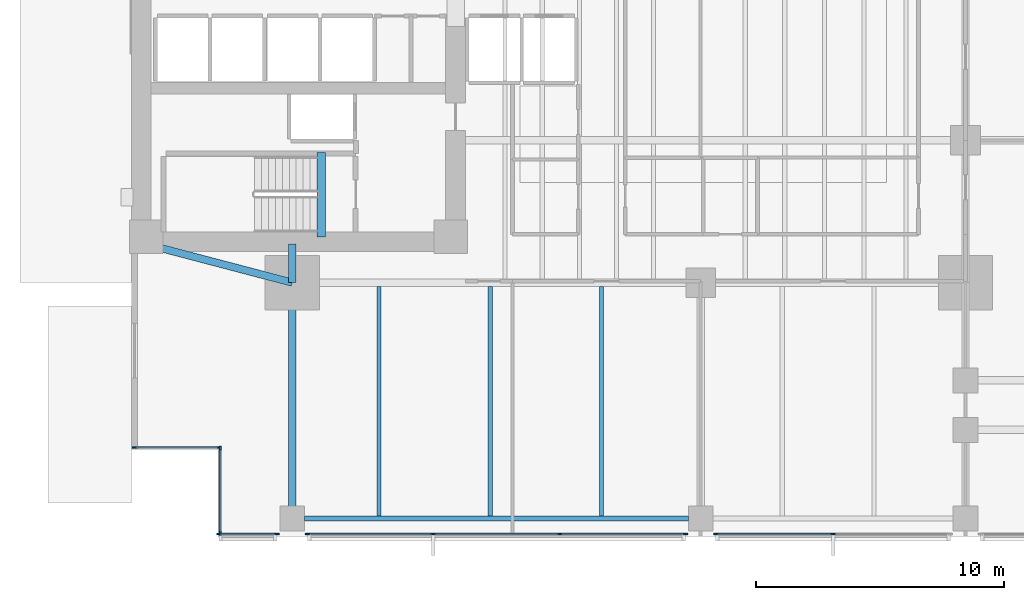
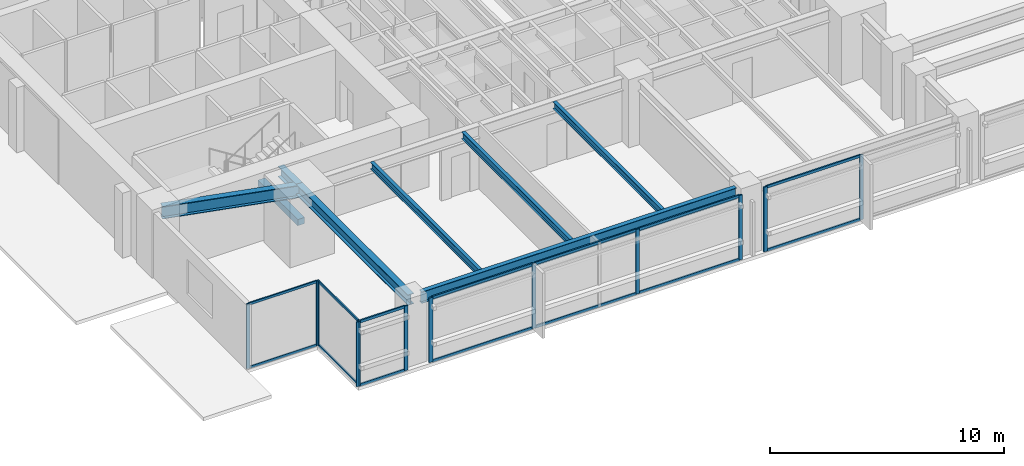
# One storey, part 2 of 16: 26 members, 8 beams, 5 elements without a shape of their own.
"""IFC4 building model written with IfcOpenShell, lengths in metres."""

from ifc_helpers import new_model, si_unit, direction, frame, origin, origin_2d, place, context, subcontext, project, spatial, rectangle, i_section, extrude, material, layer, layer_set, material_profile, profile_set, type_object, element, aggregate, save


model = new_model("IFC4")

# Units and contexts
model_context = context("Model", 3, precision=1e-05, world=origin(), true_north=direction((0.0, 1.0)))
body_context = subcontext(model_context, "Body", "Model", "MODEL_VIEW")
ifc_project = project(units=[si_unit("LENGTHUNIT", "METRE"), si_unit("AREAUNIT", "SQUARE_METRE"), si_unit("VOLUMEUNIT", "CUBIC_METRE"), si_unit("PLANEANGLEUNIT", "RADIAN"), si_unit("MASSUNIT", "GRAM", prefix="KILO")], contexts=[model_context])

# Site, building, storey
site_placement = place(None, origin())
site = spatial("IfcSite", under=ifc_project, at=site_placement, CompositionType="ELEMENT")
building_placement = place(site_placement, origin())
building = spatial("IfcBuilding", under=site, at=building_placement, Name="Kinhvarn Gate Tower", CompositionType="ELEMENT")
storey_placement = place(building_placement, frame((0.0, 0.0, 25.60009765625)))
storey = spatial("IfcBuildingStorey", under=building, at=storey_placement, Name="L05", CompositionType="ELEMENT", Elevation=25.60009765625)

# Beam
ifc_material_1 = material(Name="Concrete C50/60", Category="concrete")
ifc_material_profile_1 = material_profile(ifc_material_1, rectangle(XDim=0.340087890625, YDim=0.320068359375, at=origin_2d()), Name="RC 340x320")
ifc_profile_set_1 = profile_set([ifc_material_profile_1], Name="Concrete C50/60")
beam_type_1 = type_object("IfcBeamType", Name="BM-LND-500", PredefinedType="BEAM", material=ifc_profile_set_1)
beam_1_placement = place(storey_placement, frame((12.1650390625, 14.60009765625, -0.16015625), z_axis=(0.0, 1.0, 0.0), x_axis=(-1.0, 0.0, 0.0)))
element("IfcBeam", 1, at=beam_1_placement, inside=storey, type_object=beam_type_1, Name="Stair ST1 Landing Nosing Beam (L05)", PredefinedType="BEAM", context=body_context, shape_type="SweptSolid", body=[
    extrude(rectangle(XDim=0.340087890625, YDim=0.320068359375, at=origin_2d()), origin(), (0.0, 0.0, 1.0), 3.39990234375),
])

# Curtain wall, members
ifc_material_2 = material(Name="Anodised aluminium AW-6063", Category="aluminium")
ifc_layer_1 = layer(ifc_material_2, 0.179931640625)
ifc_layer_set_1 = layer_set([ifc_layer_1], Name="Anodised aluminium AW-6063")
curtain_wall_type_1 = type_object("IfcCurtainWallType", Name="CW-SYS-4", PredefinedType="NOTDEFINED", material=ifc_layer_set_1)
curtain_wall_1_placement = place(storey_placement, origin())
curtain_wall_1 = element("IfcCurtainWall", 2, at=curtain_wall_1_placement, inside=storey, type_object=curtain_wall_type_1, Name="Curtain Wall CW4 (L05)", PredefinedType="NOTDEFINED")
ifc_material_profile_2 = material_profile(ifc_material_2, rectangle(XDim=0.06494140625, YDim=0.159912109375, at=origin_2d()), Name="ALU 65x160")
ifc_profile_set_2 = profile_set([ifc_material_profile_2], Name="Anodised aluminium AW-6063")
member_type_1 = type_object("IfcMemberType", Name="CW-MUL-160", PredefinedType="MULLION", material=ifc_profile_set_2)
member_1_placement = place(storey_placement, frame((4.62255859375, 6.090087890625, 0.0), z_axis=(0.0, 0.0, 1.0), x_axis=(0.0, 1.0, 0.0)))
member_1 = element("IfcMember", 3, at=member_1_placement, type_object=member_type_1, Name="CW4 mullion 1", PredefinedType="MULLION", context=body_context, shape_type="SweptSolid", body=[
    extrude(rectangle(XDim=0.06494140625, YDim=0.159912109375, at=origin_2d()), origin(), (0.0, 0.0, 1.0), 3.369873046875),
])
member_2_placement = place(storey_placement, frame((8.0576171875, 6.090087890625, 0.0), z_axis=(0.0, 0.0, 1.0), x_axis=(0.0, 1.0, 0.0)))
member_2 = element("IfcMember", 4, at=member_2_placement, type_object=member_type_1, Name="CW4 mullion 2", PredefinedType="MULLION", context=body_context, shape_type="SweptSolid", body=[
    extrude(rectangle(XDim=0.06494140625, YDim=0.159912109375, at=origin_2d()), origin(), (0.0, 0.0, 1.0), 3.369873046875),
])

curtain_wall_2_placement = place(storey_placement, origin())
curtain_wall_2 = element("IfcCurtainWall", 5, at=curtain_wall_2_placement, inside=storey, type_object=curtain_wall_type_1, Name="Curtain Wall CW4 (L05)", PredefinedType="NOTDEFINED")
member_3_placement = place(storey_placement, frame((8.090087890625, 6.0576171875, 0.0), z_axis=(0.0, 0.0, 1.0), x_axis=(1.0, 0.0, 0.0)))
member_3 = element("IfcMember", 6, at=member_3_placement, type_object=member_type_1, Name="CW4 mullion 1", PredefinedType="MULLION", context=body_context, shape_type="SweptSolid", body=[
    extrude(rectangle(XDim=0.06494140625, YDim=0.159912109375, at=origin_2d()), origin(), (0.0, 0.0, 1.0), 3.369873046875),
])
member_4_placement = place(storey_placement, frame((8.090087890625, 2.62255859375, 0.0), z_axis=(0.0, 0.0, 1.0), x_axis=(1.0, 0.0, 0.0)))
member_4 = element("IfcMember", 7, at=member_4_placement, type_object=member_type_1, Name="CW4 mullion 2", PredefinedType="MULLION", context=body_context, shape_type="SweptSolid", body=[
    extrude(rectangle(XDim=0.06494140625, YDim=0.159912109375, at=origin_2d()), origin(), (0.0, 0.0, 1.0), 3.369873046875),
])

ifc_layer_2 = layer(ifc_material_2, 0.179931640625)
ifc_layer_set_2 = layer_set([ifc_layer_2], Name="Anodised aluminium AW-6063")
curtain_wall_type_2 = type_object("IfcCurtainWallType", Name="CW-SYS-2", PredefinedType="NOTDEFINED", material=ifc_layer_set_2)
curtain_wall_3_placement = place(storey_placement, origin())
curtain_wall_3 = element("IfcCurtainWall", 8, at=curtain_wall_3_placement, inside=storey, type_object=curtain_wall_type_2, Name="Curtain Wall CW2 (L05)", PredefinedType="NOTDEFINED")
ifc_material_profile_3 = material_profile(ifc_material_2, rectangle(XDim=0.070068359375, YDim=0.179931640625, at=origin_2d()), Name="ALU 70x180")
ifc_profile_set_3 = profile_set([ifc_material_profile_3], Name="Anodised aluminium AW-6063")
member_type_2 = type_object("IfcMemberType", Name="CW-MUL-180", PredefinedType="MULLION", material=ifc_profile_set_3)
member_5_placement = place(storey_placement, frame((8.034912109375, 2.590087890625, 0.0), z_axis=(0.0, 0.0, 1.0), x_axis=(0.0, 1.0, 0.0)))
member_5 = element("IfcMember", 9, at=member_5_placement, type_object=member_type_2, Name="CW2 mullion 1", PredefinedType="MULLION", context=body_context, shape_type="SweptSolid", body=[
    extrude(rectangle(XDim=0.070068359375, YDim=0.179931640625, at=origin_2d()), origin(), (0.0, 0.0, 1.0), 3.369873046875),
])
member_6_placement = place(storey_placement, frame((10.385009765625, 2.590087890625, 0.0), z_axis=(0.0, 0.0, 1.0), x_axis=(0.0, 1.0, 0.0)))
member_6 = element("IfcMember", 10, at=member_6_placement, type_object=member_type_2, Name="CW2 mullion 2", PredefinedType="MULLION", context=body_context, shape_type="SweptSolid", body=[
    extrude(rectangle(XDim=0.070068359375, YDim=0.179931640625, at=origin_2d()), origin(), (0.0, 0.0, 1.0), 3.369873046875),
])

curtain_wall_4_placement = place(storey_placement, origin())
curtain_wall_4 = element("IfcCurtainWall", 11, at=curtain_wall_4_placement, inside=storey, type_object=curtain_wall_type_2, Name="Curtain Wall CW2 (L05)", PredefinedType="NOTDEFINED")
member_7_placement = place(storey_placement, frame((11.614990234375, 2.590087890625, 0.0), z_axis=(0.0, 0.0, 1.0), x_axis=(0.0, 1.0, 0.0)))
member_7 = element("IfcMember", 12, at=member_7_placement, type_object=member_type_2, Name="CW2 mullion 1", PredefinedType="MULLION", context=body_context, shape_type="SweptSolid", body=[
    extrude(rectangle(XDim=0.070068359375, YDim=0.179931640625, at=origin_2d()), origin(), (0.0, 0.0, 1.0), 3.369873046875),
])
member_8_placement = place(storey_placement, frame((16.693359375, 2.590087890625, 0.0), z_axis=(0.0, 0.0, 1.0), x_axis=(0.0, 1.0, 0.0)))
member_8 = element("IfcMember", 13, at=member_8_placement, type_object=member_type_2, Name="CW2 mullion 2", PredefinedType="MULLION", context=body_context, shape_type="SweptSolid", body=[
    extrude(rectangle(XDim=0.070068359375, YDim=0.179931640625, at=origin_2d()), origin(), (0.0, 0.0, 1.0), 3.369873046875),
])
member_9_placement = place(storey_placement, frame((21.806640625, 2.590087890625, 0.0), z_axis=(0.0, 0.0, 1.0), x_axis=(0.0, 1.0, 0.0)))
member_9 = element("IfcMember", 14, at=member_9_placement, type_object=member_type_2, Name="CW2 mullion 3", PredefinedType="MULLION", context=body_context, shape_type="SweptSolid", body=[
    extrude(rectangle(XDim=0.070068359375, YDim=0.179931640625, at=origin_2d()), origin(), (0.0, 0.0, 1.0), 3.369873046875),
])
member_10_placement = place(storey_placement, frame((26.885009765625, 2.590087890625, 0.0), z_axis=(0.0, 0.0, 1.0), x_axis=(0.0, 1.0, 0.0)))
member_10 = element("IfcMember", 15, at=member_10_placement, type_object=member_type_2, Name="CW2 mullion 4", PredefinedType="MULLION", context=body_context, shape_type="SweptSolid", body=[
    extrude(rectangle(XDim=0.070068359375, YDim=0.179931640625, at=origin_2d()), origin(), (0.0, 0.0, 1.0), 3.369873046875),
])

curtain_wall_5_placement = place(storey_placement, origin())
curtain_wall_5 = element("IfcCurtainWall", 16, at=curtain_wall_5_placement, inside=storey, type_object=curtain_wall_type_2, Name="Curtain Wall CW2 (L05)", PredefinedType="NOTDEFINED")
member_11_placement = place(storey_placement, frame((28.114990234375, 2.590087890625, 0.0), z_axis=(0.0, 0.0, 1.0), x_axis=(0.0, 1.0, 0.0)))
member_11 = element("IfcMember", 17, at=member_11_placement, type_object=member_type_2, Name="CW2 mullion 1", PredefinedType="MULLION", context=body_context, shape_type="SweptSolid", body=[
    extrude(rectangle(XDim=0.070068359375, YDim=0.179931640625, at=origin_2d()), origin(), (0.0, 0.0, 1.0), 3.369873046875),
])
member_12_placement = place(storey_placement, frame((32.85009765625, 2.590087890625, 0.0), z_axis=(0.0, 0.0, 1.0), x_axis=(0.0, 1.0, 0.0)))
member_12 = element("IfcMember", 18, at=member_12_placement, type_object=member_type_2, Name="CW2 mullion 2", PredefinedType="MULLION", context=body_context, shape_type="SweptSolid", body=[
    extrude(rectangle(XDim=0.070068359375, YDim=0.179931640625, at=origin_2d()), origin(), (0.0, 0.0, 1.0), 3.369873046875),
])

# Member
ifc_material_profile_4 = material_profile(ifc_material_2, rectangle(XDim=0.06494140625, YDim=0.1201171875, at=origin_2d()), Name="ALU 65x120")
ifc_profile_set_4 = profile_set([ifc_material_profile_4], Name="Anodised aluminium AW-6063")
member_type_3 = type_object("IfcMemberType", Name="CW-TRN-120", PredefinedType="USERDEFINED", material=ifc_profile_set_4)
member_13_placement = place(storey_placement, frame((4.655029296875, 6.090087890625, 0.032470703125), z_axis=(1.0, 0.0, 0.0), x_axis=(0.0, 1.0, 0.0)))
member_13 = element("IfcMember", 19, at=member_13_placement, type_object=member_type_3, Name="CW4 transom 1.1", ObjectType="TRANSOM", PredefinedType="USERDEFINED", context=body_context, shape_type="SweptSolid", body=[
    extrude(rectangle(XDim=0.06494140625, YDim=0.1201171875, at=origin_2d()), origin(), (0.0, 0.0, 1.0), 3.369873046875),
])

member_14_placement = place(storey_placement, frame((4.655029296875, 6.090087890625, 3.33740234375), z_axis=(1.0, 0.0, 0.0), x_axis=(0.0, 1.0, 0.0)))
member_14 = element("IfcMember", 20, at=member_14_placement, type_object=member_type_3, Name="CW4 transom 1.2", ObjectType="TRANSOM", PredefinedType="USERDEFINED", context=body_context, shape_type="SweptSolid", body=[
    extrude(rectangle(XDim=0.06494140625, YDim=0.1201171875, at=origin_2d()), origin(), (0.0, 0.0, 1.0), 3.369873046875),
])

aggregate(curtain_wall_1, [member_1, member_2, member_13, member_14])

member_15_placement = place(storey_placement, frame((8.090087890625, 6.02490234375, 0.032470703125), z_axis=(0.0, -1.0, 0.0), x_axis=(1.0, 0.0, 0.0)))
member_15 = element("IfcMember", 21, at=member_15_placement, type_object=member_type_3, Name="CW4 transom 1.1", ObjectType="TRANSOM", PredefinedType="USERDEFINED", context=body_context, shape_type="SweptSolid", body=[
    extrude(rectangle(XDim=0.06494140625, YDim=0.1201171875, at=origin_2d()), origin(), (0.0, 0.0, 1.0), 3.369873046875),
])

member_16_placement = place(storey_placement, frame((8.090087890625, 6.02490234375, 3.33740234375), z_axis=(0.0, -1.0, 0.0), x_axis=(1.0, 0.0, 0.0)))
member_16 = element("IfcMember", 22, at=member_16_placement, type_object=member_type_3, Name="CW4 transom 1.2", ObjectType="TRANSOM", PredefinedType="USERDEFINED", context=body_context, shape_type="SweptSolid", body=[
    extrude(rectangle(XDim=0.06494140625, YDim=0.1201171875, at=origin_2d()), origin(), (0.0, 0.0, 1.0), 3.369873046875),
])

aggregate(curtain_wall_2, [member_3, member_4, member_15, member_16])

ifc_material_profile_5 = material_profile(ifc_material_2, rectangle(XDim=0.070068359375, YDim=0.139892578125, at=origin_2d()), Name="ALU 70x140")
ifc_profile_set_5 = profile_set([ifc_material_profile_5], Name="Anodised aluminium AW-6063")
member_type_4 = type_object("IfcMemberType", Name="CW-TRN-140", PredefinedType="USERDEFINED", material=ifc_profile_set_5)
member_17_placement = place(storey_placement, frame((8.070068359375, 2.590087890625, 0.034912109375), z_axis=(1.0, 0.0, 0.0), x_axis=(0.0, 1.0, 0.0)))
member_17 = element("IfcMember", 23, at=member_17_placement, type_object=member_type_4, Name="CW2 transom 1.1", ObjectType="TRANSOM", PredefinedType="USERDEFINED", context=body_context, shape_type="SweptSolid", body=[
    extrude(rectangle(XDim=0.070068359375, YDim=0.139892578125, at=origin_2d()), origin(), (0.0, 0.0, 1.0), 2.280029296875),
])

member_18_placement = place(storey_placement, frame((8.070068359375, 2.590087890625, 3.3349609375), z_axis=(1.0, 0.0, 0.0), x_axis=(0.0, 1.0, 0.0)))
member_18 = element("IfcMember", 24, at=member_18_placement, type_object=member_type_4, Name="CW2 transom 1.2", ObjectType="TRANSOM", PredefinedType="USERDEFINED", context=body_context, shape_type="SweptSolid", body=[
    extrude(rectangle(XDim=0.070068359375, YDim=0.139892578125, at=origin_2d()), origin(), (0.0, 0.0, 1.0), 2.280029296875),
])

aggregate(curtain_wall_3, [member_5, member_6, member_17, member_18])

member_19_placement = place(storey_placement, frame((11.64990234375, 2.590087890625, 0.034912109375), z_axis=(1.0, 0.0, 0.0), x_axis=(0.0, 1.0, 0.0)))
member_19 = element("IfcMember", 25, at=member_19_placement, type_object=member_type_4, Name="CW2 transom 1.1", ObjectType="TRANSOM", PredefinedType="USERDEFINED", context=body_context, shape_type="SweptSolid", body=[
    extrude(rectangle(XDim=0.070068359375, YDim=0.139892578125, at=origin_2d()), origin(), (0.0, 0.0, 1.0), 5.008544921875),
])

member_20_placement = place(storey_placement, frame((11.64990234375, 2.590087890625, 3.3349609375), z_axis=(1.0, 0.0, 0.0), x_axis=(0.0, 1.0, 0.0)))
member_20 = element("IfcMember", 26, at=member_20_placement, type_object=member_type_4, Name="CW2 transom 1.2", ObjectType="TRANSOM", PredefinedType="USERDEFINED", context=body_context, shape_type="SweptSolid", body=[
    extrude(rectangle(XDim=0.070068359375, YDim=0.139892578125, at=origin_2d()), origin(), (0.0, 0.0, 1.0), 5.008544921875),
])

member_21_placement = place(storey_placement, frame((16.728271484375, 2.590087890625, 0.034912109375), z_axis=(1.0, 0.0, 0.0), x_axis=(0.0, 1.0, 0.0)))
member_21 = element("IfcMember", 27, at=member_21_placement, type_object=member_type_4, Name="CW2 transom 2.1", ObjectType="TRANSOM", PredefinedType="USERDEFINED", context=body_context, shape_type="SweptSolid", body=[
    extrude(rectangle(XDim=0.070068359375, YDim=0.139892578125, at=origin_2d()), origin(), (0.0, 0.0, 1.0), 5.04345703125),
])

member_22_placement = place(storey_placement, frame((16.728271484375, 2.590087890625, 3.3349609375), z_axis=(1.0, 0.0, 0.0), x_axis=(0.0, 1.0, 0.0)))
member_22 = element("IfcMember", 28, at=member_22_placement, type_object=member_type_4, Name="CW2 transom 2.2", ObjectType="TRANSOM", PredefinedType="USERDEFINED", context=body_context, shape_type="SweptSolid", body=[
    extrude(rectangle(XDim=0.070068359375, YDim=0.139892578125, at=origin_2d()), origin(), (0.0, 0.0, 1.0), 5.04345703125),
])

member_23_placement = place(storey_placement, frame((21.841552734375, 2.590087890625, 0.034912109375), z_axis=(1.0, 0.0, 0.0), x_axis=(0.0, 1.0, 0.0)))
member_23 = element("IfcMember", 29, at=member_23_placement, type_object=member_type_4, Name="CW2 transom 3.1", ObjectType="TRANSOM", PredefinedType="USERDEFINED", context=body_context, shape_type="SweptSolid", body=[
    extrude(rectangle(XDim=0.070068359375, YDim=0.139892578125, at=origin_2d()), origin(), (0.0, 0.0, 1.0), 5.008544921875),
])

member_24_placement = place(storey_placement, frame((21.841552734375, 2.590087890625, 3.3349609375), z_axis=(1.0, 0.0, 0.0), x_axis=(0.0, 1.0, 0.0)))
member_24 = element("IfcMember", 30, at=member_24_placement, type_object=member_type_4, Name="CW2 transom 3.2", ObjectType="TRANSOM", PredefinedType="USERDEFINED", context=body_context, shape_type="SweptSolid", body=[
    extrude(rectangle(XDim=0.070068359375, YDim=0.139892578125, at=origin_2d()), origin(), (0.0, 0.0, 1.0), 5.008544921875),
])

aggregate(curtain_wall_4, [member_7, member_8, member_9, member_10, member_19, member_20, member_21, member_22, member_23, member_24])

member_25_placement = place(storey_placement, frame((28.14990234375, 2.590087890625, 0.034912109375), z_axis=(1.0, 0.0, 0.0), x_axis=(0.0, 1.0, 0.0)))
member_25 = element("IfcMember", 31, at=member_25_placement, type_object=member_type_4, Name="CW2 transom 1.1", ObjectType="TRANSOM", PredefinedType="USERDEFINED", context=body_context, shape_type="SweptSolid", body=[
    extrude(rectangle(XDim=0.070068359375, YDim=0.139892578125, at=origin_2d()), origin(), (0.0, 0.0, 1.0), 4.6650390625),
])

member_26_placement = place(storey_placement, frame((28.14990234375, 2.590087890625, 3.3349609375), z_axis=(1.0, 0.0, 0.0), x_axis=(0.0, 1.0, 0.0)))
member_26 = element("IfcMember", 32, at=member_26_placement, type_object=member_type_4, Name="CW2 transom 1.2", ObjectType="TRANSOM", PredefinedType="USERDEFINED", context=body_context, shape_type="SweptSolid", body=[
    extrude(rectangle(XDim=0.070068359375, YDim=0.139892578125, at=origin_2d()), origin(), (0.0, 0.0, 1.0), 4.6650390625),
])

aggregate(curtain_wall_5, [member_11, member_12, member_25, member_26])

# Beams
ifc_material_3 = material(Name="Steel S355", Category="steel")
ifc_material_profile_6 = material_profile(ifc_material_3, i_section(OverallWidth=0.300048828125, OverallDepth=0.550048828125, WebThickness=0.014892578125, FlangeThickness=0.029052734375, at=origin_2d()), Name="HEB 550")
ifc_profile_set_6 = profile_set([ifc_material_profile_6], Name="Steel S355")
beam_type_2 = type_object("IfcBeamType", Name="STL-HEB550", PredefinedType="BEAM", material=ifc_profile_set_6)
beam_2_placement = place(storey_placement, frame((11.0, 3.219970703125, 3.094970703125), z_axis=(0.0, 1.0, 0.0), x_axis=(-1.0, 0.0, 0.0)))
element("IfcBeam", 33, at=beam_2_placement, inside=storey, type_object=beam_type_2, Name="Floor Beam PG-15 (L05 MCW-S)", PredefinedType="BEAM", context=body_context, shape_type="SweptSolid", body=[
    extrude(i_section(OverallWidth=0.300048828125, OverallDepth=0.550048828125, WebThickness=0.014892578125, FlangeThickness=0.029052734375, at=origin_2d()), origin(), (0.0, 0.0, 1.0), 9.530029296875),
])
beam_3_placement = place(storey_placement, frame((11.0, 12.75, 3.094970703125), z_axis=(0.0, 1.0, 0.0), x_axis=(-1.0, 0.0, 0.0)))
element("IfcBeam", 34, at=beam_3_placement, inside=storey, type_object=beam_type_2, Name="Floor Beam PG-15 (L05 MCW-CS)", PredefinedType="BEAM", context=body_context, shape_type="SweptSolid", body=[
    extrude(i_section(OverallWidth=0.300048828125, OverallDepth=0.550048828125, WebThickness=0.014892578125, FlangeThickness=0.029052734375, at=origin_2d()), origin(), (0.0, 0.0, 1.0), 1.550048828125),
])
ifc_material_profile_7 = material_profile(ifc_material_3, i_section(OverallWidth=0.300048828125, OverallDepth=0.64990234375, WebThickness=0.01611328125, FlangeThickness=0.031005859375, at=origin_2d()), Name="HEB 650")
ifc_profile_set_7 = profile_set([ifc_material_profile_7], Name="Steel S355")
beam_type_3 = type_object("IfcBeamType", Name="STL-HEB650", PredefinedType="BEAM", material=ifc_profile_set_7)
beam_4_placement = place(storey_placement, frame((5.10009765625, 14.300048828125, 3.044921875), z_axis=(0.967177623957, -0.254101246979, 0.0), x_axis=(0.254101246979, 0.967177623957, 0.0)))
element("IfcBeam", 35, at=beam_4_placement, inside=storey, type_object=beam_type_3, Name="Floor Beam PG-17 (L05 MG-SW-DIAG)", PredefinedType="BEAM", context=body_context, shape_type="SweptSolid", body=[
    extrude(i_section(OverallWidth=0.300048828125, OverallDepth=0.64990234375, WebThickness=0.01611328125, FlangeThickness=0.031005859375, at=origin_2d()), origin(), (0.0, 0.0, 1.0), 6.10009765625),
])
ifc_material_profile_8 = material_profile(ifc_material_3, i_section(OverallWidth=0.169921875, OverallDepth=0.360107421875, WebThickness=0.008056640625, FlangeThickness=0.0126953125, at=origin_2d()), Name="IPE 360")
ifc_profile_set_8 = profile_set([ifc_material_profile_8], Name="Steel S355")
beam_type_4 = type_object("IfcBeamType", Name="STL-IPE360", PredefinedType="JOIST", material=ifc_profile_set_8)
for number, where, z_axis, x_axis, name in (
    (36, (14.5, 3.330078125, 3.18994140625), (0.0, 1.0, 0.0), (-1.0, 0.0, 0.0), "Floor Joist SB-04 (L05 JS-X145)"),
    (37, (19.0, 3.330078125, 3.18994140625), (0.0, 1.0, 0.0), (-1.0, 0.0, 0.0), "Floor Joist SB-04 (L05 JS-X190)"),
    (38, (23.5, 3.330078125, 3.18994140625), (0.0, 1.0, 0.0), (-1.0, 0.0, 0.0), "Floor Joist SB-04 (L05 JS-X235)"),
):
    element("IfcBeam", number, at=place(storey_placement, frame(where, z_axis=z_axis, x_axis=x_axis)), inside=storey, type_object=beam_type_4, Name=name, PredefinedType="JOIST", context=body_context, shape_type="SweptSolid", body=[
        extrude(i_section(OverallWidth=0.169921875, OverallDepth=0.360107421875, WebThickness=0.008056640625, FlangeThickness=0.0126953125, at=origin_2d()), origin(), (0.0, 0.0, 1.0), 9.27001953125),
    ])
ifc_material_profile_9 = material_profile(ifc_material_3, i_section(OverallWidth=0.219970703125, OverallDepth=0.60009765625, WebThickness=0.011962890625, FlangeThickness=0.01904296875, at=origin_2d()), Name="IPE 600")
ifc_profile_set_9 = profile_set([ifc_material_profile_9], Name="Steel S355")
beam_type_5 = type_object("IfcBeamType", Name="STL-IPE600", PredefinedType="SPANDREL", material=ifc_profile_set_9)
beam_5_placement = place(storey_placement, frame((11.485107421875, 3.219970703125, 3.06982421875), z_axis=(1.0, 0.0, 0.0), x_axis=(0.0, 1.0, 0.0)))
element("IfcBeam", 39, at=beam_5_placement, inside=storey, type_object=beam_type_5, Name="Floor Spandrel SB-09 (L05 SP-S1)", PredefinedType="SPANDREL", context=body_context, shape_type="SweptSolid", body=[
    extrude(i_section(OverallWidth=0.219970703125, OverallDepth=0.60009765625, WebThickness=0.011962890625, FlangeThickness=0.01904296875, at=origin_2d()), origin(), (0.0, 0.0, 1.0), 15.52978515625),
])

save(model, "model.ifc")
